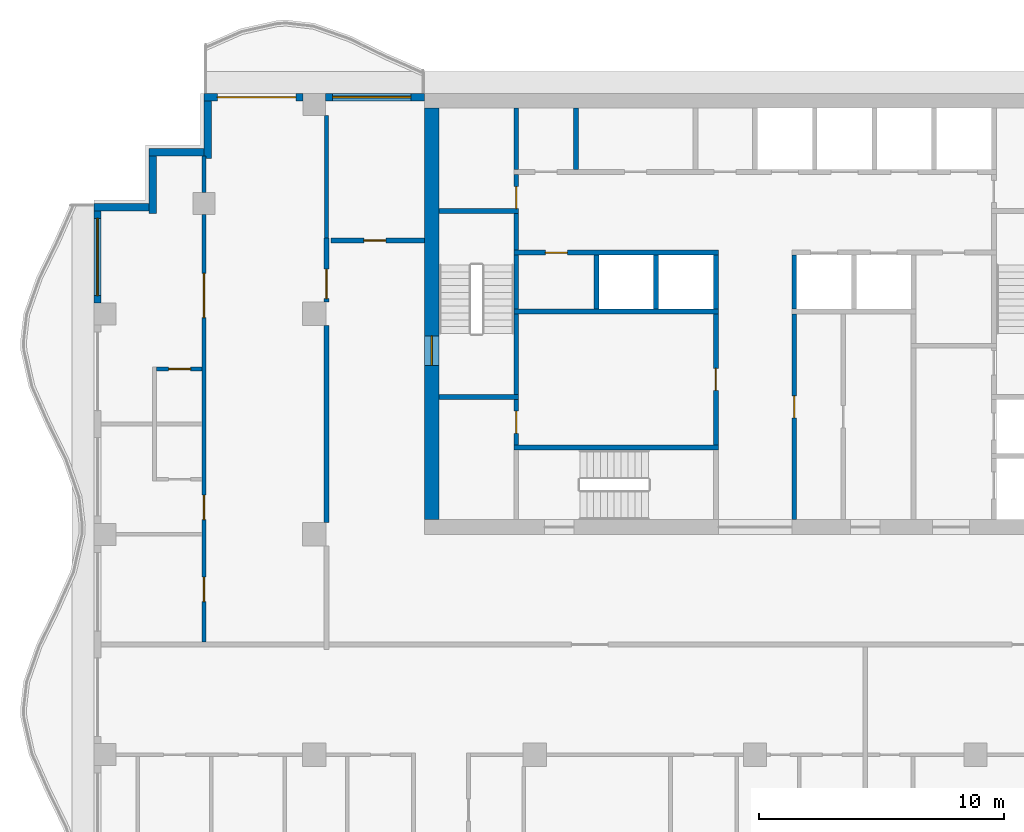
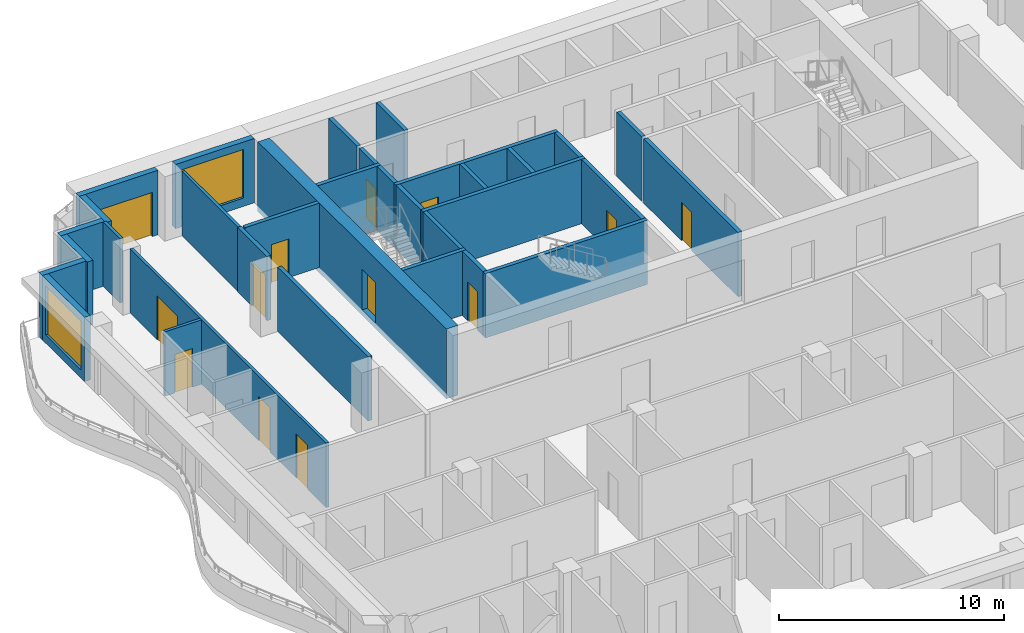
# One storey, part 5 of 11: 33 walls, 13 doors, 2 windows, 15 openings.
"""IFC4 building model written with IfcOpenShell, lengths in metres."""

from ifc_helpers import new_model, si_unit, direction, frame, frame_2d, origin, place, context, subcontext, project, spatial, rectangle, extrude, material, layer, layer_set, type_object, element, fill, save


model = new_model("IFC4")

# Units and contexts
model_context = context("Model", 3, precision=1e-05, world=origin(), true_north=direction((0.0, 1.0)))
body_context = subcontext(model_context, "Body", "Model", "MODEL_VIEW")
ifc_project = project(units=[si_unit("LENGTHUNIT", "METRE"), si_unit("AREAUNIT", "SQUARE_METRE"), si_unit("VOLUMEUNIT", "CUBIC_METRE"), si_unit("PLANEANGLEUNIT", "RADIAN"), si_unit("MASSUNIT", "GRAM", prefix="KILO")], contexts=[model_context])

# Site, building, storey
site_placement = place(None, origin())
site = spatial("IfcSite", under=ifc_project, at=site_placement, CompositionType="ELEMENT")
building_placement = place(site_placement, origin())
building = spatial("IfcBuilding", under=site, at=building_placement, Name="Orbiselva Terraces", CompositionType="ELEMENT")
storey_placement = place(building_placement, frame((0.0, 0.0, 269.2)))
storey = spatial("IfcBuildingStorey", under=building, at=storey_placement, Name="L68", CompositionType="ELEMENT", Elevation=269.2)

# Wall, opening, door
ifc_material_1 = material(Name="Concrete C80/95", Category="concrete")
ifc_layer_1 = layer(ifc_material_1, 0.6)
ifc_layer_set_1 = layer_set([ifc_layer_1], Name="Concrete C80/95")
wall_type_1 = type_object("IfcWallType", Name="CORE WALL 600", PredefinedType="SHEAR", material=ifc_layer_set_1)
wall_1_placement = place(storey_placement, frame((-13.2, 21.9, -0.3), z_axis=(0.0, 0.0, 1.0), x_axis=(0.0, -1.0, 0.0)))
wall_1 = element("IfcWall", 1, at=wall_1_placement, inside=storey, type_object=wall_type_1, Name="Core wall L68 west", PredefinedType="SHEAR", context=body_context, shape_type="SweptSolid", body=[
    extrude(rectangle(XDim=16.8, YDim=0.6, at=frame_2d((8.4, 0.0))), origin(), (0.0, 0.0, 1.0), 3.8),
])
opening_1_placement = place(wall_1_placement, frame((9.3, 0.0, 0.3)))
opening_1 = element("IfcOpeningElement", 2, at=opening_1_placement, cuts=wall_1, Name="Opening DS1200", PredefinedType="OPENING", context=body_context, shape_type="SweptSolid", body=[
    extrude(rectangle(XDim=1.2, YDim=2.2, at=frame_2d((0.6, 1.1))), frame((0.0, 0.31, 0.0), z_axis=(0.0, -1.0, 0.0), x_axis=(1.0, 0.0, 0.0)), (0.0, 0.0, 1.0), 0.62),
])
ifc_material_2 = material(Name="Steel fire door", Category="steel")
door_type_1 = type_object("IfcDoorType", Name="STAIR DOOR 1200", OperationType="NOTDEFINED", PredefinedType="DOOR", material=ifc_material_2)
door_1_placement = place(opening_1_placement, frame((1.2, 0.0, 0.0), z_axis=(0.0, 0.0, 1.0), x_axis=(-1.0, 0.0, 0.0)))
door_1 = element("IfcDoor", 3, at=door_1_placement, inside=storey, type_object=door_type_1, Name="L68 EXIT STAIR S1 door", OperationType="SINGLE_SWING_RIGHT", OverallHeight=2.2, OverallWidth=1.2, PredefinedType="DOOR", context=body_context, shape_type="SweptSolid", body=[
    extrude(rectangle(XDim=1.2, YDim=2.2, at=frame_2d((0.6, 1.1))), frame((0.0, 0.025, 0.0), z_axis=(0.0, -1.0, 0.0), x_axis=(1.0, 0.0, 0.0)), (0.0, 0.0, 1.0), 0.05),
])
fill(opening_1, door_1)

ifc_material_3 = material(Name="Masonry blockwork", Category="masonry")
ifc_layer_2 = layer(ifc_material_3, 0.2)
ifc_layer_set_2 = layer_set([ifc_layer_2], Name="Masonry blockwork")
wall_type_2 = type_object("IfcWallType", Name="CORE-WALL-PARTITION-200", PredefinedType="PARTITIONING", material=ifc_layer_set_2)
wall_2_placement = place(storey_placement, frame((-9.75, 8.15, 0.0), z_axis=(0.0, 0.0, 1.0), x_axis=(0.0, 1.0, 0.0)))
wall_2 = element("IfcWall", 4, at=wall_2_placement, inside=storey, type_object=wall_type_2, Name="L68 core wall 05", PredefinedType="PARTITIONING", context=body_context, shape_type="SweptSolid", body=[
    extrude(rectangle(XDim=1.85, YDim=0.2, at=frame_2d((0.925, 0.0))), origin(), (0.0, 0.0, 1.0), 3.5),
])
opening_2_placement = place(wall_2_placement, frame((0.475, 0.0, 0.0)))
opening_2 = element("IfcOpeningElement", 5, at=opening_2_placement, cuts=wall_2, Name="Opening DR900", PredefinedType="OPENING", context=body_context, shape_type="SweptSolid", body=[
    extrude(rectangle(XDim=0.9, YDim=2.1, at=frame_2d((0.45, 1.05))), frame((0.0, 0.11, 0.0), z_axis=(0.0, -1.0, 0.0), x_axis=(1.0, 0.0, 0.0)), (0.0, 0.0, 1.0), 0.22),
])
door_type_2 = type_object("IfcDoorType", Name="ROOM DOOR 900", OperationType="NOTDEFINED", PredefinedType="DOOR", material=ifc_material_2)
door_2_placement = place(opening_2_placement, origin())
door_2 = element("IfcDoor", 6, at=door_2_placement, inside=storey, type_object=door_type_2, Name="L68 ACCESSIBLE WC door", OperationType="SINGLE_SWING_RIGHT", OverallHeight=2.1, OverallWidth=0.9, PredefinedType="DOOR", context=body_context, shape_type="SweptSolid", body=[
    extrude(rectangle(XDim=0.9, YDim=2.1, at=frame_2d((0.45, 1.05))), frame((0.0, 0.025, 0.0), z_axis=(0.0, -1.0, 0.0), x_axis=(1.0, 0.0, 0.0)), (0.0, 0.0, 1.0), 0.05),
])
fill(opening_2, door_2)

wall_3_placement = place(storey_placement, frame((-9.75, 17.8, 0.0), z_axis=(0.0, 0.0, 1.0), x_axis=(0.0, 1.0, 0.0)))
wall_3 = element("IfcWall", 7, at=wall_3_placement, inside=storey, type_object=wall_type_2, Name="L68 core wall 11", PredefinedType="PARTITIONING", context=body_context, shape_type="SweptSolid", body=[
    extrude(rectangle(XDim=1.4, YDim=0.2, at=frame_2d((0.7, 0.0))), origin(), (0.0, 0.0, 1.0), 3.5),
])
opening_3_placement = place(wall_3_placement, origin())
opening_3 = element("IfcOpeningElement", 8, at=opening_3_placement, cuts=wall_3, Name="Opening DR900", PredefinedType="OPENING", context=body_context, shape_type="SweptSolid", body=[
    extrude(rectangle(XDim=0.9, YDim=2.1, at=frame_2d((0.45, 1.05))), frame((0.0, 0.11, 0.0), z_axis=(0.0, -1.0, 0.0), x_axis=(1.0, 0.0, 0.0)), (0.0, 0.0, 1.0), 0.22),
])
door_3_placement = place(opening_3_placement, origin())
door_3 = element("IfcDoor", 9, at=door_3_placement, inside=storey, type_object=door_type_2, Name="L68 ELECTRICAL RISER ROOM door", OperationType="SINGLE_SWING_LEFT", OverallHeight=2.1, OverallWidth=0.9, PredefinedType="DOOR", context=body_context, shape_type="SweptSolid", body=[
    extrude(rectangle(XDim=0.9, YDim=2.1, at=frame_2d((0.45, 1.05))), frame((0.0, 0.025, 0.0), z_axis=(0.0, -1.0, 0.0), x_axis=(1.0, 0.0, 0.0)), (0.0, 0.0, 1.0), 0.05),
])
fill(opening_3, door_3)

# Walls
for number, where, z_axis, x_axis, name in (
    (10, (-9.75, 19.4, 0.0), (0.0, 0.0, 1.0), (0.0, 1.0, 0.0), "L68 core wall 13"),
    (11, (-7.3125, 19.4, 0.0), (0.0, 0.0, 1.0), (0.0, 1.0, 0.0), "L68 core wall 14"),
):
    element("IfcWall", number, at=place(storey_placement, frame(where, z_axis=z_axis, x_axis=x_axis)), inside=storey, type_object=wall_type_2, Name=name, PredefinedType="PARTITIONING", context=body_context, shape_type="SweptSolid", body=[
        extrude(rectangle(XDim=2.5, YDim=0.2, at=frame_2d((1.25, 0.0))), origin(), (0.0, 0.0, 1.0), 3.5),
    ])
ifc_material_4 = material(Name="Concrete C40/50", Category="concrete")
ifc_layer_3 = layer(ifc_material_4, 0.2)
ifc_layer_set_3 = layer_set([ifc_layer_3], Name="Concrete C40/50")
wall_type_3 = type_object("IfcWallType", Name="CORE-WALL-SHAFT-200", PredefinedType="PARTITIONING", material=ifc_layer_set_3)
for number, where, z_axis, x_axis, name in (
    (12, (-6.475, 13.7, 0.0), (0.0, 0.0, 1.0), (0.0, 1.0, 0.0), "L68 core wall 15"),
    (13, (-4.0375, 13.7, 0.0), (0.0, 0.0, 1.0), (0.0, 1.0, 0.0), "L68 core wall 16"),
    (14, (-1.6, 13.7, 0.0), (0.0, 0.0, 1.0), (0.0, 1.0, 0.0), "L68 core wall 20"),
    (15, (1.6, 13.7, 0.0), (0.0, 0.0, 1.0), (0.0, 1.0, 0.0), "L68 core wall 24"),
):
    element("IfcWall", number, at=place(storey_placement, frame(where, z_axis=z_axis, x_axis=x_axis)), inside=storey, type_object=wall_type_3, Name=name, PredefinedType="PARTITIONING", context=body_context, shape_type="SweptSolid", body=[
        extrude(rectangle(XDim=2.2, YDim=0.2, at=frame_2d((1.1, 0.0))), origin(), (0.0, 0.0, 1.0), 3.5),
    ])
ifc_material_5 = material(Name="Concrete C60/75", Category="concrete")
ifc_layer_4 = layer(ifc_material_5, 0.2)
ifc_layer_set_4 = layer_set([ifc_layer_4], Name="Concrete C60/75")
wall_type_4 = type_object("IfcWallType", Name="CORE-WALL-SHEAR-200", PredefinedType="SHEAR", material=ifc_layer_set_4)
for number, where, z_axis, x_axis, name in (
    (16, (-12.9, 10.1, 0.0), (0.0, 0.0, 1.0), (1.0, 0.0, 0.0), "L68 core wall 01"),
    (17, (-12.9, 17.7, 0.0), (0.0, 0.0, 1.0), (1.0, 0.0, 0.0), "L68 core wall 02"),
):
    element("IfcWall", number, at=place(storey_placement, frame(where, z_axis=z_axis, x_axis=x_axis)), inside=storey, type_object=wall_type_4, Name=name, PredefinedType="SHEAR", context=body_context, shape_type="SweptSolid", body=[
        extrude(rectangle(XDim=3.25, YDim=0.2, at=frame_2d((1.625, 0.0))), origin(), (0.0, 0.0, 1.0), 3.5),
    ])
wall_4_placement = place(storey_placement, frame((-9.85, 8.05, 0.0), z_axis=(0.0, 0.0, 1.0), x_axis=(1.0, 0.0, 0.0)))
element("IfcWall", 18, at=wall_4_placement, inside=storey, type_object=wall_type_4, Name="L68 core wall 04", PredefinedType="SHEAR", context=body_context, shape_type="SweptSolid", body=[
    extrude(rectangle(XDim=8.35, YDim=0.2, at=frame_2d((4.175, 0.0))), origin(), (0.0, 0.0, 1.0), 3.5),
])
wall_5_placement = place(storey_placement, frame((-9.75, 10.2, 0.0), z_axis=(0.0, 0.0, 1.0), x_axis=(0.0, 1.0, 0.0)))
element("IfcWall", 19, at=wall_5_placement, inside=storey, type_object=wall_type_4, Name="L68 core wall 06", PredefinedType="SHEAR", context=body_context, shape_type="SweptSolid", body=[
    extrude(rectangle(XDim=3.3, YDim=0.2, at=frame_2d((1.65, 0.0))), origin(), (0.0, 0.0, 1.0), 3.5),
])
wall_6_placement = place(storey_placement, frame((-9.85, 13.6, 0.0), z_axis=(0.0, 0.0, 1.0), x_axis=(1.0, 0.0, 0.0)))
element("IfcWall", 20, at=wall_6_placement, inside=storey, type_object=wall_type_4, Name="L68 core wall 07", PredefinedType="SHEAR", context=body_context, shape_type="SweptSolid", body=[
    extrude(rectangle(XDim=8.35, YDim=0.2, at=frame_2d((4.175, 0.0))), origin(), (0.0, 0.0, 1.0), 3.5),
])
wall_7_placement = place(storey_placement, frame((-9.75, 13.7, 0.0), z_axis=(0.0, 0.0, 1.0), x_axis=(0.0, 1.0, 0.0)))
element("IfcWall", 21, at=wall_7_placement, inside=storey, type_object=wall_type_4, Name="L68 core wall 08", PredefinedType="SHEAR", context=body_context, shape_type="SweptSolid", body=[
    extrude(rectangle(XDim=2.2, YDim=0.2, at=frame_2d((1.1, 0.0))), origin(), (0.0, 0.0, 1.0), 3.5),
])

# Wall, opening, door
wall_8_placement = place(storey_placement, frame((-1.5, 16.0, 0.0), z_axis=(0.0, 0.0, 1.0), x_axis=(-1.0, 0.0, 0.0)))
wall_8 = element("IfcWall", 22, at=wall_8_placement, inside=storey, type_object=wall_type_4, Name="L68 core wall 09", PredefinedType="SHEAR", context=body_context, shape_type="SweptSolid", body=[
    extrude(rectangle(XDim=8.35, YDim=0.2, at=frame_2d((4.175, 0.0))), origin(), (0.0, 0.0, 1.0), 3.5),
])
opening_4_placement = place(wall_8_placement, frame((6.1625, 0.0, 0.0)))
opening_4 = element("IfcOpeningElement", 23, at=opening_4_placement, cuts=wall_8, Name="Opening DR900", PredefinedType="OPENING", context=body_context, shape_type="SweptSolid", body=[
    extrude(rectangle(XDim=0.9, YDim=2.1, at=frame_2d((0.45, 1.05))), frame((0.0, 0.11, 0.0), z_axis=(0.0, -1.0, 0.0), x_axis=(1.0, 0.0, 0.0)), (0.0, 0.0, 1.0), 0.22),
])
door_4_placement = place(opening_4_placement, origin())
door_4 = element("IfcDoor", 24, at=door_4_placement, inside=storey, type_object=door_type_2, Name="L68 IT ROOM door", OperationType="SINGLE_SWING_RIGHT", OverallHeight=2.1, OverallWidth=0.9, PredefinedType="DOOR", context=body_context, shape_type="SweptSolid", body=[
    extrude(rectangle(XDim=0.9, YDim=2.1, at=frame_2d((0.45, 1.05))), frame((0.0, 0.025, 0.0), z_axis=(0.0, -1.0, 0.0), x_axis=(1.0, 0.0, 0.0)), (0.0, 0.0, 1.0), 0.05),
])
fill(opening_4, door_4)

# Wall
wall_9_placement = place(storey_placement, frame((-9.75, 16.1, 0.0), z_axis=(0.0, 0.0, 1.0), x_axis=(0.0, 1.0, 0.0)))
element("IfcWall", 25, at=wall_9_placement, inside=storey, type_object=wall_type_4, Name="L68 core wall 10", PredefinedType="SHEAR", context=body_context, shape_type="SweptSolid", body=[
    extrude(rectangle(XDim=1.5, YDim=0.2, at=frame_2d((0.75, 0.0))), origin(), (0.0, 0.0, 1.0), 3.5),
])

# Wall, opening, door
wall_10_placement = place(storey_placement, frame((-1.6, 8.15, 0.0), z_axis=(0.0, 0.0, 1.0), x_axis=(0.0, 1.0, 0.0)))
wall_10 = element("IfcWall", 26, at=wall_10_placement, inside=storey, type_object=wall_type_4, Name="L68 core wall 19", PredefinedType="SHEAR", context=body_context, shape_type="SweptSolid", body=[
    extrude(rectangle(XDim=5.35, YDim=0.2, at=frame_2d((2.675, 0.0))), origin(), (0.0, 0.0, 1.0), 3.5),
])
opening_5_placement = place(wall_10_placement, frame((2.225, 0.0, 0.0)))
opening_5 = element("IfcOpeningElement", 27, at=opening_5_placement, cuts=wall_10, Name="Opening DR900", PredefinedType="OPENING", context=body_context, shape_type="SweptSolid", body=[
    extrude(rectangle(XDim=0.9, YDim=2.1, at=frame_2d((0.45, 1.05))), frame((0.0, 0.11, 0.0), z_axis=(0.0, -1.0, 0.0), x_axis=(1.0, 0.0, 0.0)), (0.0, 0.0, 1.0), 0.22),
])
door_5_placement = place(opening_5_placement, origin())
door_5 = element("IfcDoor", 28, at=door_5_placement, inside=storey, type_object=door_type_2, Name="L68 LINEN STORE door", OperationType="SINGLE_SWING_RIGHT", OverallHeight=2.1, OverallWidth=0.9, PredefinedType="DOOR", context=body_context, shape_type="SweptSolid", body=[
    extrude(rectangle(XDim=0.9, YDim=2.1, at=frame_2d((0.45, 1.05))), frame((0.0, 0.025, 0.0), z_axis=(0.0, -1.0, 0.0), x_axis=(1.0, 0.0, 0.0)), (0.0, 0.0, 1.0), 0.05),
])
fill(opening_5, door_5)

wall_11_placement = place(storey_placement, frame((1.6, 13.5, 0.0), z_axis=(0.0, 0.0, 1.0), x_axis=(0.0, -1.0, 0.0)))
wall_11 = element("IfcWall", 29, at=wall_11_placement, inside=storey, type_object=wall_type_4, Name="L68 core wall 22", PredefinedType="SHEAR", context=body_context, shape_type="SweptSolid", body=[
    extrude(rectangle(XDim=8.4, YDim=0.2, at=frame_2d((4.2, 0.0))), origin(), (0.0, 0.0, 1.0), 3.5),
])
opening_6_placement = place(wall_11_placement, frame((3.35, 0.0, 0.0)))
opening_6 = element("IfcOpeningElement", 30, at=opening_6_placement, cuts=wall_11, Name="Opening DR900", PredefinedType="OPENING", context=body_context, shape_type="SweptSolid", body=[
    extrude(rectangle(XDim=0.9, YDim=2.1, at=frame_2d((0.45, 1.05))), frame((0.0, 0.11, 0.0), z_axis=(0.0, -1.0, 0.0), x_axis=(1.0, 0.0, 0.0)), (0.0, 0.0, 1.0), 0.22),
])
door_6_placement = place(opening_6_placement, origin())
door_6 = element("IfcDoor", 31, at=door_6_placement, inside=storey, type_object=door_type_2, Name="L68 COMMS ROOM door", OperationType="SINGLE_SWING_LEFT", OverallHeight=2.1, OverallWidth=0.9, PredefinedType="DOOR", context=body_context, shape_type="SweptSolid", body=[
    extrude(rectangle(XDim=0.9, YDim=2.1, at=frame_2d((0.45, 1.05))), frame((0.0, 0.025, 0.0), z_axis=(0.0, -1.0, 0.0), x_axis=(1.0, 0.0, 0.0)), (0.0, 0.0, 1.0), 0.05),
])
fill(opening_6, door_6)

# Wall, opening, window
ifc_material_6 = material(Name="Terracotta cladding on masonry backing", Category="masonry")
ifc_layer_5 = layer(ifc_material_6, 0.3)
ifc_layer_set_5 = layer_set([ifc_layer_5], Name="Terracotta cladding on masonry backing")
wall_type_5 = type_object("IfcWallType", Name="ENV-WALL-TERRACOTTA-300", PredefinedType="SOLIDWALL", material=ifc_layer_set_5)
wall_12_placement = place(storey_placement, frame((-17.55, 22.35, 0.0), z_axis=(0.0, 0.0, 1.0), x_axis=(1.0, 0.0, 0.0)))
wall_12 = element("IfcWall", 32, at=wall_12_placement, inside=storey, type_object=wall_type_5, Name="Facade wall L68 NW", PredefinedType="SOLIDWALL", context=body_context, shape_type="SweptSolid", body=[
    extrude(rectangle(XDim=4.05, YDim=0.3, at=frame_2d((2.025, 0.0))), origin(), (0.0, 0.0, 1.0), 3.5),
])
opening_7_placement = place(wall_12_placement, frame((0.3, 0.0, 0.45)))
opening_7 = element("IfcOpeningElement", 33, at=opening_7_placement, cuts=wall_12, Name="Opening WN17", PredefinedType="OPENING", context=body_context, shape_type="SweptSolid", body=[
    extrude(rectangle(XDim=3.2, YDim=2.65, at=frame_2d((1.6, 1.325))), frame((0.0, 0.16, 0.0), z_axis=(0.0, -1.0, 0.0), x_axis=(1.0, 0.0, 0.0)), (0.0, 0.0, 1.0), 0.32),
])
ifc_material_7 = material(Name="Clear low-e glazing in aluminium frame", Category="aluminium")
window_type_1 = type_object("IfcWindowType", Name="WINDOW 3200 X 2650 S450", PartitioningType="TRIPLE_PANEL_VERTICAL", PredefinedType="WINDOW", material=ifc_material_7)
window_1_placement = place(opening_7_placement, origin())
window_1 = element("IfcWindow", 34, at=window_1_placement, inside=storey, type_object=window_type_1, Name="Window L68 NW", OverallHeight=2.65, OverallWidth=3.2, PartitioningType="SINGLE_PANEL", PredefinedType="WINDOW", context=body_context, shape_type="SweptSolid", body=[
    extrude(rectangle(XDim=3.2, YDim=2.65, at=frame_2d((1.6, 1.325))), frame((0.0, 0.03, 0.0), z_axis=(0.0, -1.0, 0.0), x_axis=(1.0, 0.0, 0.0)), (0.0, 0.0, 1.0), 0.06),
])
fill(opening_7, window_1)

# Wall, opening, door
wall_13_placement = place(storey_placement, frame((-22.5, 22.35, 0.0), z_axis=(0.0, 0.0, 1.0), x_axis=(1.0, 0.0, 0.0)))
wall_13 = element("IfcWall", 35, at=wall_13_placement, inside=storey, type_object=wall_type_5, Name="Facade wall L68 NW", PredefinedType="SOLIDWALL", context=body_context, shape_type="SweptSolid", body=[
    extrude(rectangle(XDim=4.05, YDim=0.3, at=frame_2d((2.025, 0.0))), origin(), (0.0, 0.0, 1.0), 3.5),
])
opening_8_placement = place(wall_13_placement, frame((0.55, 0.0, 0.0)))
opening_8 = element("IfcOpeningElement", 36, at=opening_8_placement, cuts=wall_13, Name="Opening Z5-C-E09", PredefinedType="OPENING", context=body_context, shape_type="SweptSolid", body=[
    extrude(rectangle(XDim=3.2, YDim=2.4, at=frame_2d((1.6, 1.2))), frame((0.0, 0.16, 0.0), z_axis=(0.0, -1.0, 0.0), x_axis=(1.0, 0.0, 0.0)), (0.0, 0.0, 1.0), 0.32),
])
door_type_3 = type_object("IfcDoorType", Name="BALCONY DOOR 3200 X 2400", OperationType="DOUBLE_DOOR_SLIDING", PredefinedType="DOOR", material=ifc_material_7)
door_7_placement = place(opening_8_placement, origin())
door_7 = element("IfcDoor", 37, at=door_7_placement, inside=storey, type_object=door_type_3, Name="Z5-C-E09", OperationType="SINGLE_SWING_LEFT", OverallHeight=2.4, OverallWidth=3.2, PredefinedType="DOOR", context=body_context, shape_type="SweptSolid", body=[
    extrude(rectangle(XDim=3.2, YDim=2.4, at=frame_2d((1.6, 1.2))), frame((0.0, 0.025, 0.0), z_axis=(0.0, -1.0, 0.0), x_axis=(1.0, 0.0, 0.0)), (0.0, 0.0, 1.0), 0.05),
])
fill(opening_8, door_7)

# Walls
wall_14_placement = place(storey_placement, frame((-22.35, 19.85, 0.0), z_axis=(0.0, 0.0, 1.0), x_axis=(0.0, 1.0, 0.0)))
element("IfcWall", 38, at=wall_14_placement, inside=storey, type_object=wall_type_5, Name="Facade wall L68 STEP", PredefinedType="SOLIDWALL", context=body_context, shape_type="SweptSolid", body=[
    extrude(rectangle(XDim=2.35, YDim=0.3, at=frame_2d((1.175, 0.0))), origin(), (0.0, 0.0, 1.0), 3.5),
])
wall_15_placement = place(storey_placement, frame((-24.75, 20.1, 0.0), z_axis=(0.0, 0.0, 1.0), x_axis=(1.0, 0.0, 0.0)))
element("IfcWall", 39, at=wall_15_placement, inside=storey, type_object=wall_type_5, Name="Facade wall L68 STEP", PredefinedType="SOLIDWALL", context=body_context, shape_type="SweptSolid", body=[
    extrude(rectangle(XDim=2.25, YDim=0.3, at=frame_2d((1.125, 0.0))), origin(), (0.0, 0.0, 1.0), 3.5),
])
wall_16_placement = place(storey_placement, frame((-24.6, 17.6, 0.0), z_axis=(0.0, 0.0, 1.0), x_axis=(0.0, 1.0, 0.0)))
element("IfcWall", 40, at=wall_16_placement, inside=storey, type_object=wall_type_5, Name="Facade wall L68 STEP", PredefinedType="SOLIDWALL", context=body_context, shape_type="SweptSolid", body=[
    extrude(rectangle(XDim=2.35, YDim=0.3, at=frame_2d((1.175, 0.0))), origin(), (0.0, 0.0, 1.0), 3.5),
])
wall_17_placement = place(storey_placement, frame((-27.0, 17.85, 0.0), z_axis=(0.0, 0.0, 1.0), x_axis=(1.0, 0.0, 0.0)))
element("IfcWall", 41, at=wall_17_placement, inside=storey, type_object=wall_type_5, Name="Facade wall L68 STEP", PredefinedType="SOLIDWALL", context=body_context, shape_type="SweptSolid", body=[
    extrude(rectangle(XDim=2.25, YDim=0.3, at=frame_2d((1.125, 0.0))), origin(), (0.0, 0.0, 1.0), 3.5),
])

# Wall, opening, window
wall_18_placement = place(storey_placement, frame((-26.85, 13.95, 0.0), z_axis=(0.0, 0.0, 1.0), x_axis=(0.0, 1.0, 0.0)))
wall_18 = element("IfcWall", 42, at=wall_18_placement, inside=storey, type_object=wall_type_5, Name="Facade wall L68 W", PredefinedType="SOLIDWALL", context=body_context, shape_type="SweptSolid", body=[
    extrude(rectangle(XDim=3.75, YDim=0.3, at=frame_2d((1.875, 0.0))), origin(), (0.0, 0.0, 1.0), 3.5),
])
opening_9_placement = place(wall_18_placement, frame((0.3, 0.0, 0.45)))
opening_9 = element("IfcOpeningElement", 43, at=opening_9_placement, cuts=wall_18, Name="Opening WN16", PredefinedType="OPENING", context=body_context, shape_type="SweptSolid", body=[
    extrude(rectangle(XDim=3.15, YDim=2.65, at=frame_2d((1.575, 1.325))), frame((0.0, 0.16, 0.0), z_axis=(0.0, -1.0, 0.0), x_axis=(1.0, 0.0, 0.0)), (0.0, 0.0, 1.0), 0.32),
])
window_type_2 = type_object("IfcWindowType", Name="WINDOW 3150 X 2650 S450", PartitioningType="TRIPLE_PANEL_VERTICAL", PredefinedType="WINDOW", material=ifc_material_7)
window_2_placement = place(opening_9_placement, origin())
window_2 = element("IfcWindow", 44, at=window_2_placement, inside=storey, type_object=window_type_2, Name="Window L68 W", OverallHeight=2.65, OverallWidth=3.15, PartitioningType="SINGLE_PANEL", PredefinedType="WINDOW", context=body_context, shape_type="SweptSolid", body=[
    extrude(rectangle(XDim=3.15, YDim=2.65, at=frame_2d((1.575, 1.325))), frame((0.0, 0.03, 0.0), z_axis=(0.0, -1.0, 0.0), x_axis=(1.0, 0.0, 0.0)), (0.0, 0.0, 1.0), 0.06),
])
fill(opening_9, window_2)

# Wall, opening, door
ifc_material_8 = material(Name="Plasterboard on steel stud partition", Category="steel")
ifc_layer_6 = layer(ifc_material_8, 0.2)
ifc_layer_set_6 = layer_set([ifc_layer_6], Name="Plasterboard on steel stud partition")
wall_type_6 = type_object("IfcWallType", Name="UNIT-ENTRANCE-WALL-200", PredefinedType="PARTITIONING", material=ifc_layer_set_6)
wall_19_placement = place(storey_placement, frame((-17.325, 16.5, 0.0), z_axis=(0.0, 0.0, 1.0), x_axis=(1.0, 0.0, 0.0)))
wall_19 = element("IfcWall", 45, at=wall_19_placement, inside=storey, type_object=wall_type_6, Name="PARTITION L68-041", PredefinedType="PARTITIONING", context=body_context, shape_type="SweptSolid", body=[
    extrude(rectangle(XDim=3.825, YDim=0.2, at=frame_2d((1.9125, 0.0))), origin(), (0.0, 0.0, 1.0), 3.5),
])
opening_10_placement = place(wall_19_placement, frame((1.35, 0.0, 0.0)))
opening_10 = element("IfcOpeningElement", 46, at=opening_10_placement, cuts=wall_19, Name="Opening Z5-C-01", PredefinedType="OPENING", context=body_context, shape_type="SweptSolid", body=[
    extrude(rectangle(XDim=0.9, YDim=2.1, at=frame_2d((0.45, 1.05))), frame((0.0, 0.11, 0.0), z_axis=(0.0, -1.0, 0.0), x_axis=(1.0, 0.0, 0.0)), (0.0, 0.0, 1.0), 0.22),
])
ifc_material_9 = material(Name="Painted timber door leaf", Category="wood")
door_type_4 = type_object("IfcDoorType", Name="SERVICE DOOR 900", OperationType="NOTDEFINED", PredefinedType="DOOR", material=ifc_material_9)
door_8_placement = place(opening_10_placement, origin())
door_8 = element("IfcDoor", 47, at=door_8_placement, inside=storey, type_object=door_type_4, Name="Z5-C-01", OperationType="SINGLE_SWING_LEFT", OverallHeight=2.1, OverallWidth=0.9, PredefinedType="DOOR", context=body_context, shape_type="SweptSolid", body=[
    extrude(rectangle(XDim=0.9, YDim=2.1, at=frame_2d((0.45, 1.05))), frame((0.0, 0.025, 0.0), z_axis=(0.0, -1.0, 0.0), x_axis=(1.0, 0.0, 0.0)), (0.0, 0.0, 1.0), 0.05),
])
fill(opening_10, door_8)

# Wall
wall_20_placement = place(storey_placement, frame((-17.5, 4.975, 0.0), z_axis=(0.0, 0.0, 1.0), x_axis=(0.0, 1.0, 0.0)))
element("IfcWall", 48, at=wall_20_placement, inside=storey, type_object=wall_type_6, Name="PARTITION L68-054", PredefinedType="PARTITIONING", context=body_context, shape_type="SweptSolid", body=[
    extrude(rectangle(XDim=8.05, YDim=0.2, at=frame_2d((4.025, 0.0))), origin(), (0.0, 0.0, 1.0), 3.5),
])

# Wall, opening, door
wall_21_placement = place(storey_placement, frame((-17.5, 13.975, 0.0), z_axis=(0.0, 0.0, 1.0), x_axis=(0.0, 1.0, 0.0)))
wall_21 = element("IfcWall", 49, at=wall_21_placement, inside=storey, type_object=wall_type_6, Name="PARTITION L68-055", PredefinedType="PARTITIONING", context=body_context, shape_type="SweptSolid", body=[
    extrude(rectangle(XDim=2.625, YDim=0.2, at=frame_2d((1.3125, 0.0))), origin(), (0.0, 0.0, 1.0), 3.5),
])
opening_11_placement = place(wall_21_placement, frame((0.15, 0.0, 0.0)))
opening_11 = element("IfcOpeningElement", 50, at=opening_11_placement, cuts=wall_21, Name="Opening Z5-C-03", PredefinedType="OPENING", context=body_context, shape_type="SweptSolid", body=[
    extrude(rectangle(XDim=1.2, YDim=2.4, at=frame_2d((0.6, 1.2))), frame((0.0, 0.11, 0.0), z_axis=(0.0, -1.0, 0.0), x_axis=(1.0, 0.0, 0.0)), (0.0, 0.0, 1.0), 0.22),
])
door_type_5 = type_object("IfcDoorType", Name="ENTRANCE DOOR 1200", OperationType="NOTDEFINED", PredefinedType="DOOR", material=ifc_material_9)
door_9_placement = place(opening_11_placement, origin())
door_9 = element("IfcDoor", 51, at=door_9_placement, inside=storey, type_object=door_type_5, Name="Z5-C-03", OperationType="SINGLE_SWING_LEFT", OverallHeight=2.4, OverallWidth=1.2, PredefinedType="DOOR", context=body_context, shape_type="SweptSolid", body=[
    extrude(rectangle(XDim=1.2, YDim=2.4, at=frame_2d((0.6, 1.2))), frame((0.0, 0.025, 0.0), z_axis=(0.0, -1.0, 0.0), x_axis=(1.0, 0.0, 0.0)), (0.0, 0.0, 1.0), 0.05),
])
fill(opening_11, door_9)

ifc_layer_7 = layer(ifc_material_8, 0.15)
ifc_layer_set_7 = layer_set([ifc_layer_7], Name="Plasterboard on steel stud partition")
wall_type_7 = type_object("IfcWallType", Name="UNIT-PARTITION-150", PredefinedType="PARTITIONING", material=ifc_layer_set_7)
wall_22_placement = place(storey_placement, frame((-22.575, 11.25, 0.0), z_axis=(0.0, 0.0, 1.0), x_axis=(-1.0, 0.0, 0.0)))
wall_22 = element("IfcWall", 52, at=wall_22_placement, inside=storey, type_object=wall_type_7, Name="PARTITION L68-038", PredefinedType="PARTITIONING", context=body_context, shape_type="SweptSolid", body=[
    extrude(rectangle(XDim=1.875, YDim=0.15, at=frame_2d((0.9375, 0.0))), origin(), (0.0, 0.0, 1.0), 3.5),
])
opening_12_placement = place(wall_22_placement, frame((0.475, 0.0, 0.0)))
opening_12 = element("IfcOpeningElement", 53, at=opening_12_placement, cuts=wall_22, Name="Opening Z5-C-08", PredefinedType="OPENING", context=body_context, shape_type="SweptSolid", body=[
    extrude(rectangle(XDim=0.9, YDim=2.1, at=frame_2d((0.45, 1.05))), frame((0.0, 0.085, 0.0), z_axis=(0.0, -1.0, 0.0), x_axis=(1.0, 0.0, 0.0)), (0.0, 0.0, 1.0), 0.17),
])
door_type_6 = type_object("IfcDoorType", Name="BATH DOOR 900", OperationType="NOTDEFINED", PredefinedType="DOOR", material=ifc_material_9)
door_10_placement = place(opening_12_placement, origin())
door_10 = element("IfcDoor", 54, at=door_10_placement, inside=storey, type_object=door_type_6, Name="Z5-C-08", OperationType="SINGLE_SWING_LEFT", OverallHeight=2.1, OverallWidth=0.9, PredefinedType="DOOR", context=body_context, shape_type="SweptSolid", body=[
    extrude(rectangle(XDim=0.9, YDim=2.1, at=frame_2d((0.45, 1.05))), frame((0.0, 0.025, 0.0), z_axis=(0.0, -1.0, 0.0), x_axis=(1.0, 0.0, 0.0)), (0.0, 0.0, 1.0), 0.05),
])
fill(opening_12, door_10)

# Wall, openings, doors
wall_23_placement = place(storey_placement, frame((-22.5, 0.1, 0.0), z_axis=(0.0, 0.0, 1.0), x_axis=(0.0, 1.0, 0.0)))
wall_23 = element("IfcWall", 55, at=wall_23_placement, inside=storey, type_object=wall_type_7, Name="PARTITION L68-047", PredefinedType="PARTITIONING", context=body_context, shape_type="SweptSolid", body=[
    extrude(rectangle(XDim=17.45, YDim=0.15, at=frame_2d((8.725, 0.0))), origin(), (0.0, 0.0, 1.0), 3.5),
])
opening_13_placement = place(wall_23_placement, frame((1.65, 0.0, 0.0)))
opening_13 = element("IfcOpeningElement", 56, at=opening_13_placement, cuts=wall_23, Name="Opening Z5-C-04", PredefinedType="OPENING", context=body_context, shape_type="SweptSolid", body=[
    extrude(rectangle(XDim=1.0, YDim=2.4, at=frame_2d((0.5, 1.2))), frame((0.0, 0.085, 0.0), z_axis=(0.0, -1.0, 0.0), x_axis=(1.0, 0.0, 0.0)), (0.0, 0.0, 1.0), 0.17),
])
opening_14_placement = place(wall_23_placement, frame((5.0, 0.0, 0.0)))
opening_14 = element("IfcOpeningElement", 57, at=opening_14_placement, cuts=wall_23, Name="Opening Z5-C-05", PredefinedType="OPENING", context=body_context, shape_type="SweptSolid", body=[
    extrude(rectangle(XDim=1.0, YDim=2.4, at=frame_2d((0.5, 1.2))), frame((0.0, 0.085, 0.0), z_axis=(0.0, -1.0, 0.0), x_axis=(1.0, 0.0, 0.0)), (0.0, 0.0, 1.0), 0.17),
])
opening_15_placement = place(wall_23_placement, frame((13.25, 0.0, 0.0)))
opening_15 = element("IfcOpeningElement", 58, at=opening_15_placement, cuts=wall_23, Name="Opening Z5-C-07", PredefinedType="OPENING", context=body_context, shape_type="SweptSolid", body=[
    extrude(rectangle(XDim=1.8, YDim=2.4, at=frame_2d((0.9, 1.2))), frame((0.0, 0.085, 0.0), z_axis=(0.0, -1.0, 0.0), x_axis=(1.0, 0.0, 0.0)), (0.0, 0.0, 1.0), 0.17),
])
door_type_7 = type_object("IfcDoorType", Name="DOUBLE DOOR 1800", OperationType="NOTDEFINED", PredefinedType="DOOR", material=ifc_material_9)
door_11_placement = place(opening_15_placement, origin())
door_11 = element("IfcDoor", 59, at=door_11_placement, inside=storey, type_object=door_type_7, Name="Z5-C-07", OperationType="DOUBLE_DOOR_SINGLE_SWING", OverallHeight=2.4, OverallWidth=1.8, PredefinedType="DOOR", context=body_context, shape_type="SweptSolid", body=[
    extrude(rectangle(XDim=1.8, YDim=2.4, at=frame_2d((0.9, 1.2))), frame((0.0, 0.025, 0.0), z_axis=(0.0, -1.0, 0.0), x_axis=(1.0, 0.0, 0.0)), (0.0, 0.0, 1.0), 0.05),
])
fill(opening_15, door_11)
door_type_8 = type_object("IfcDoorType", Name="ROOM DOOR 1000", OperationType="NOTDEFINED", PredefinedType="DOOR", material=ifc_material_9)
door_12_placement = place(opening_13_placement, origin())
door_12 = element("IfcDoor", 60, at=door_12_placement, inside=storey, type_object=door_type_8, Name="Z5-C-04", OperationType="SINGLE_SWING_LEFT", OverallHeight=2.4, OverallWidth=1.0, PredefinedType="DOOR", context=body_context, shape_type="SweptSolid", body=[
    extrude(rectangle(XDim=1.0, YDim=2.4, at=frame_2d((0.5, 1.2))), frame((0.0, 0.025, 0.0), z_axis=(0.0, -1.0, 0.0), x_axis=(1.0, 0.0, 0.0)), (0.0, 0.0, 1.0), 0.05),
])
fill(opening_13, door_12)
door_13_placement = place(opening_14_placement, origin())
door_13 = element("IfcDoor", 61, at=door_13_placement, inside=storey, type_object=door_type_8, Name="Z5-C-05", OperationType="SINGLE_SWING_LEFT", OverallHeight=2.4, OverallWidth=1.0, PredefinedType="DOOR", context=body_context, shape_type="SweptSolid", body=[
    extrude(rectangle(XDim=1.0, YDim=2.4, at=frame_2d((0.5, 1.2))), frame((0.0, 0.025, 0.0), z_axis=(0.0, -1.0, 0.0), x_axis=(1.0, 0.0, 0.0)), (0.0, 0.0, 1.0), 0.05),
])
fill(opening_14, door_13)

# Walls
wall_24_placement = place(storey_placement, frame((-22.5, 18.45, 0.0), z_axis=(0.0, 0.0, 1.0), x_axis=(0.0, 1.0, 0.0)))
element("IfcWall", 62, at=wall_24_placement, inside=storey, type_object=wall_type_7, Name="PARTITION L68-048", PredefinedType="PARTITIONING", context=body_context, shape_type="SweptSolid", body=[
    extrude(rectangle(XDim=1.5, YDim=0.15, at=frame_2d((0.75, 0.0))), origin(), (0.0, 0.0, 1.0), 3.5),
])
wall_25_placement = place(storey_placement, frame((-17.5, 16.4, 0.0), z_axis=(0.0, 0.0, 1.0), x_axis=(0.0, 1.0, 0.0)))
element("IfcWall", 63, at=wall_25_placement, inside=storey, type_object=wall_type_7, Name="PARTITION L68-056", PredefinedType="PARTITIONING", context=body_context, shape_type="SweptSolid", body=[
    extrude(rectangle(XDim=5.2, YDim=0.15, at=frame_2d((2.6, 0.0))), origin(), (0.0, 0.0, 1.0), 3.5),
])

save(model, "model.ifc")
